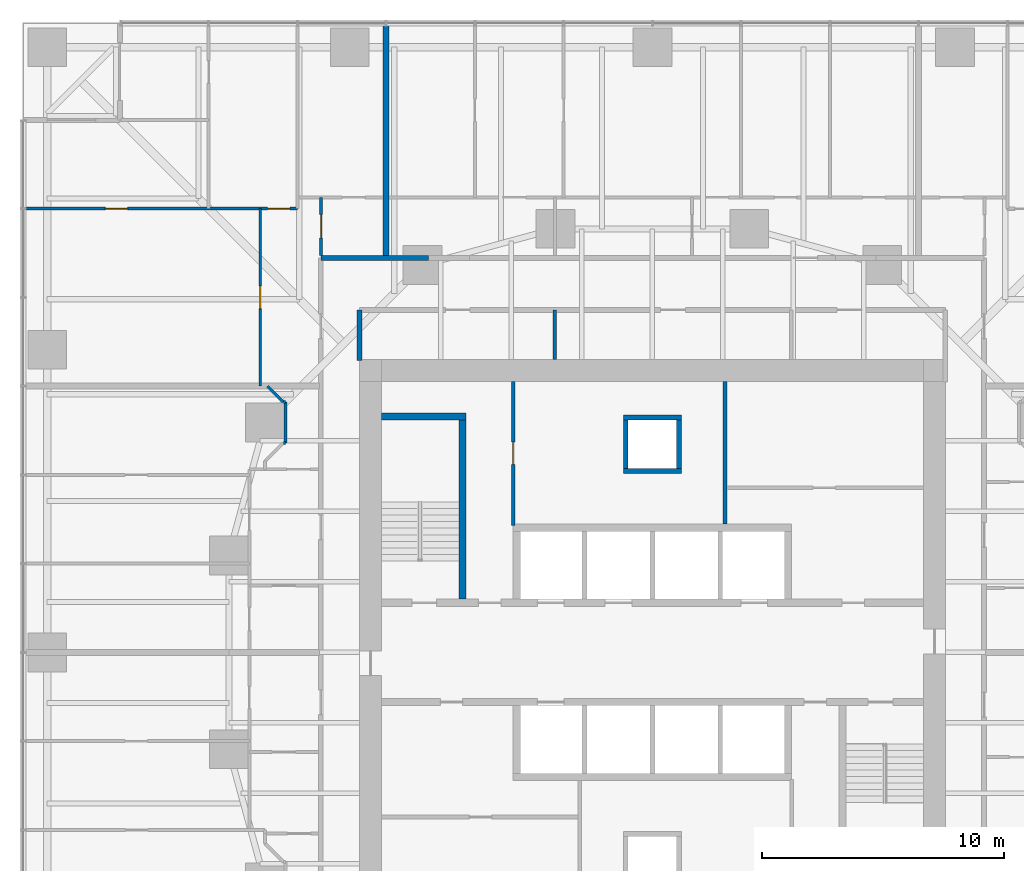
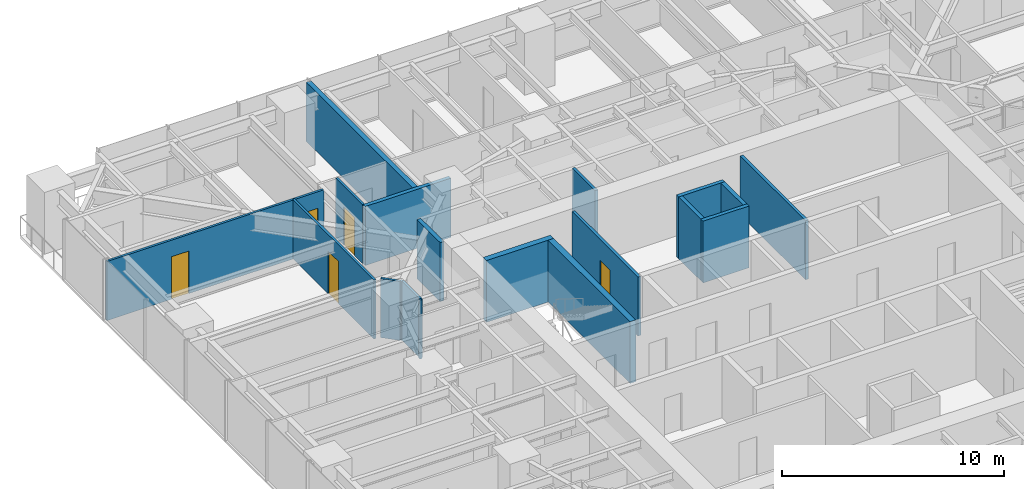
# One storey, part 14 of 18: 19 walls, 5 doors, 5 openings.
"""IFC4 building model written with IfcOpenShell, lengths in metres."""

from ifc_helpers import new_model, si_unit, direction, frame, frame_2d, origin, place, context, subcontext, project, spatial, rectangle, extrude, material, layer, layer_set, type_object, element, fill, save


model = new_model("IFC4")

# Units and contexts
model_context = context("Model", 3, precision=1e-05, world=origin(), true_north=direction((0.0, 1.0)))
body_context = subcontext(model_context, "Body", "Model", "MODEL_VIEW")
ifc_project = project(units=[si_unit("LENGTHUNIT", "METRE"), si_unit("AREAUNIT", "SQUARE_METRE"), si_unit("VOLUMEUNIT", "CUBIC_METRE"), si_unit("PLANEANGLEUNIT", "RADIAN"), si_unit("MASSUNIT", "GRAM", prefix="KILO")], contexts=[model_context])

# Site, building, storey
site_placement = place(None, origin())
site = spatial("IfcSite", under=ifc_project, at=site_placement, CompositionType="ELEMENT")
building_placement = place(site_placement, origin())
building = spatial("IfcBuilding", under=site, at=building_placement, Name="Torsade Residences", CompositionType="ELEMENT")
storey_placement = place(building_placement, frame((0.0, 0.0, 28.60009765625)))
storey = spatial("IfcBuildingStorey", under=building, at=storey_placement, Name="L07", CompositionType="ELEMENT", Elevation=28.60009765625)

# Walls
ifc_material_1 = material(Name="Concrete 80 MPa", Category="concrete")
ifc_layer_1 = layer(ifc_material_1, 0.300048828125)
ifc_layer_set_1 = layer_set([ifc_layer_1], Name="Concrete 80 MPa")
wall_type_1 = type_object("IfcWallType", Name="CORE INTERNAL WALL 300", PredefinedType="SHEAR", material=ifc_layer_set_1)
wall_1_placement = place(storey_placement, frame((32.14990234375, 32.199951171875, 0.0), z_axis=(0.0, 0.0, 1.0), x_axis=(0.0, 1.0, 0.0)))
element("IfcWall", 1, at=wall_1_placement, inside=storey, type_object=wall_type_1, Name="Core wall ST1E L07", PredefinedType="SHEAR", context=body_context, shape_type="SweptSolid", body=[
    extrude(rectangle(XDim=7.699951171875, YDim=0.300048828125, at=frame_2d((3.85009765625, 0.0))), origin(), (0.0, 0.0, 1.0), 3.39990234375),
])
wall_2_placement = place(storey_placement, frame((28.800048828125, 39.75, 0.0), z_axis=(0.0, 0.0, 1.0), x_axis=(1.0, 0.0, 0.0)))
element("IfcWall", 2, at=wall_2_placement, inside=storey, type_object=wall_type_1, Name="Core wall ST1N L07", PredefinedType="SHEAR", context=body_context, shape_type="SweptSolid", body=[
    extrude(rectangle(XDim=3.5, YDim=0.300048828125, at=frame_2d((1.75, 0.0))), origin(), (0.0, 0.0, 1.0), 3.39990234375),
])
ifc_material_2 = material(Name="Plasterboard on steel stud", Category="steel")
ifc_layer_2 = layer(ifc_material_2, 0.199951171875)
ifc_layer_set_2 = layer_set([ifc_layer_2], Name="Plasterboard on steel stud")
wall_type_2 = type_object("IfcWallType", Name="CORRIDOR WALL 200", PredefinedType="PARTITIONING", material=ifc_layer_set_2)
wall_3_placement = place(storey_placement, frame((30.75830078125, 46.300048828125, 0.0), z_axis=(0.0, 0.0, 1.0), x_axis=(-1.0, 0.0, 0.0)))
element("IfcWall", 3, at=wall_3_placement, inside=storey, type_object=wall_type_2, Name="Corridor wall L07", PredefinedType="PARTITIONING", context=body_context, shape_type="SweptSolid", body=[
    extrude(rectangle(XDim=4.458251953125, YDim=0.199951171875, at=frame_2d((2.22900390625, 0.0))), origin(), (0.0, 0.0, 1.0), 3.25),
])
wall_4_placement = place(storey_placement, frame((27.89990234375, 44.14990234375, 0.0), z_axis=(0.0, 0.0, 1.0), x_axis=(0.0, -1.0, 0.0)))
element("IfcWall", 4, at=wall_4_placement, inside=storey, type_object=wall_type_2, Name="Corridor wall L07", PredefinedType="PARTITIONING", context=body_context, shape_type="SweptSolid", body=[
    extrude(rectangle(XDim=2.099853515625, YDim=0.199951171875, at=frame_2d((1.0498046875, 0.0))), origin(), (0.0, 0.0, 1.0), 3.25),
])

# Wall, opening, door
ifc_material_3 = material(Name="Plasterboard on steel stud", Category="steel")
ifc_layer_3 = layer(ifc_material_3, 0.1201171875)
ifc_layer_set_3 = layer_set([ifc_layer_3], Name="Plasterboard on steel stud")
wall_type_3 = type_object("IfcWallType", Name="PARTITION 120", PredefinedType="PARTITIONING", material=ifc_layer_set_3)
wall_5_placement = place(storey_placement, frame((26.314697265625, 48.800048828125, 0.0), z_axis=(0.0, 0.0, 1.0), x_axis=(0.0, -1.0, 0.0)))
wall_5 = element("IfcWall", 5, at=wall_5_placement, inside=storey, type_object=wall_type_3, Name="Partition L07", PredefinedType="PARTITIONING", context=body_context, shape_type="SweptSolid", body=[
    extrude(rectangle(XDim=2.400146484375, YDim=0.1201171875, at=frame_2d((1.2001953125, 0.0))), origin(), (0.0, 0.0, 1.0), 3.25),
])
opening_1_placement = place(wall_5_placement, frame((0.719970703125, 0.0, 0.0)))
opening_1 = element("IfcOpeningElement", 6, at=opening_1_placement, cuts=wall_5, Name="Opening D05", PredefinedType="OPENING", context=body_context, shape_type="SweptSolid", body=[
    extrude(rectangle(XDim=0.9599609375, YDim=2.10009765625, at=frame_2d((0.47998046875, 1.050048828125))), frame((0.0, 0.070068359375, 0.0), z_axis=(0.0, -1.0, 0.0), x_axis=(1.0, 0.0, 0.0)), (0.0, 0.0, 1.0), 0.14013671875),
])
ifc_material_4 = material(Name="Hollow-core timber door in a steel cavity frame", Category="steel")
door_type_1 = type_object("IfcDoorType", Name="BATHROOM CAVITY SLIDING DOOR 960", OperationType="SLIDING_TO_LEFT", PredefinedType="DOOR", material=ifc_material_4)
door_1_placement = place(opening_1_placement, origin())
door_1 = element("IfcDoor", 7, at=door_1_placement, inside=storey, type_object=door_type_1, Name="Door Kitchen and dining to Bathroom", OperationType="SLIDING_TO_LEFT", OverallHeight=2.10009765625, OverallWidth=0.9599609375, PredefinedType="DOOR", context=body_context, shape_type="SweptSolid", body=[
    extrude(rectangle(XDim=0.9599609375, YDim=2.10009765625, at=frame_2d((0.47998046875, 1.050048828125))), frame((0.0, 0.02490234375, 0.0), z_axis=(0.0, -1.0, 0.0), x_axis=(1.0, 0.0, 0.0)), (0.0, 0.0, 1.0), 0.050048828125),
])
fill(opening_1, door_1)

wall_6_placement = place(storey_placement, frame((23.800048828125, 41.0, 0.0), z_axis=(0.0, 0.0, 1.0), x_axis=(0.0, 1.0, 0.0)))
wall_6 = element("IfcWall", 8, at=wall_6_placement, inside=storey, type_object=wall_type_3, Name="Partition L07", PredefinedType="PARTITIONING", context=body_context, shape_type="SweptSolid", body=[
    extrude(rectangle(XDim=7.333251953125, YDim=0.1201171875, at=frame_2d((3.66650390625, 0.0))), origin(), (0.0, 0.0, 1.0), 3.25),
])
opening_2_placement = place(wall_6_placement, frame((3.20654296875, 0.0, 0.0)))
opening_2 = element("IfcOpeningElement", 9, at=opening_2_placement, cuts=wall_6, Name="Opening D02", PredefinedType="OPENING", context=body_context, shape_type="SweptSolid", body=[
    extrude(rectangle(XDim=0.919921875, YDim=2.340087890625, at=frame_2d((0.4599609375, 1.169921875))), frame((0.0, 0.070068359375, 0.0), z_axis=(0.0, -1.0, 0.0), x_axis=(1.0, 0.0, 0.0)), (0.0, 0.0, 1.0), 0.14013671875),
])
ifc_material_5 = material(Name="Hollow-core timber door", Category="wood")
door_type_2 = type_object("IfcDoorType", Name="INTERNAL DOOR 920x2340", OperationType="NOTDEFINED", PredefinedType="DOOR", material=ifc_material_5)
door_2_placement = place(opening_2_placement, origin())
door_2 = element("IfcDoor", 10, at=door_2_placement, inside=storey, type_object=door_type_2, Name="Door Kitchen and dining to Living room", OperationType="SINGLE_SWING_LEFT", OverallHeight=2.340087890625, OverallWidth=0.919921875, PredefinedType="DOOR", context=body_context, shape_type="SweptSolid", body=[
    extrude(rectangle(XDim=0.919921875, YDim=2.340087890625, at=frame_2d((0.4599609375, 1.169921875))), frame((0.0, 0.02490234375, 0.0), z_axis=(0.0, -1.0, 0.0), x_axis=(1.0, 0.0, 0.0)), (0.0, 0.0, 1.0), 0.050048828125),
])
fill(opening_2, door_2)

# Wall, openings, doors
wall_7_placement = place(storey_placement, frame((14.0400390625, 48.333251953125, 0.0), z_axis=(0.0, 0.0, 1.0), x_axis=(1.0, 0.0, 0.0)))
wall_7 = element("IfcWall", 11, at=wall_7_placement, inside=storey, type_object=wall_type_3, Name="Partition L07", PredefinedType="PARTITIONING", context=body_context, shape_type="SweptSolid", body=[
    extrude(rectangle(XDim=11.293212890625, YDim=0.1201171875, at=frame_2d((5.646484375, 0.0))), origin(), (0.0, 0.0, 1.0), 3.25),
])
opening_3_placement = place(wall_7_placement, frame((10.066650390625, 0.0, 0.0)))
opening_3 = element("IfcOpeningElement", 12, at=opening_3_placement, cuts=wall_7, Name="Opening D02", PredefinedType="OPENING", context=body_context, shape_type="SweptSolid", body=[
    extrude(rectangle(XDim=0.919921875, YDim=2.340087890625, at=frame_2d((0.4599609375, 1.169921875))), frame((0.0, 0.070068359375, 0.0), z_axis=(0.0, -1.0, 0.0), x_axis=(1.0, 0.0, 0.0)), (0.0, 0.0, 1.0), 0.14013671875),
])
opening_4_placement = place(wall_7_placement, frame((3.3583984375, 0.0, 0.0)))
opening_4 = element("IfcOpeningElement", 13, at=opening_4_placement, cuts=wall_7, Name="Opening D02", PredefinedType="OPENING", context=body_context, shape_type="SweptSolid", body=[
    extrude(rectangle(XDim=0.919921875, YDim=2.340087890625, at=frame_2d((0.4599609375, 1.169921875))), frame((0.0, 0.070068359375, 0.0), z_axis=(0.0, -1.0, 0.0), x_axis=(1.0, 0.0, 0.0)), (0.0, 0.0, 1.0), 0.14013671875),
])
door_3_placement = place(opening_3_placement, origin())
door_3 = element("IfcDoor", 14, at=door_3_placement, inside=storey, type_object=door_type_2, Name="Door Kitchen and dining to Bedroom 2", OperationType="SINGLE_SWING_RIGHT", OverallHeight=2.340087890625, OverallWidth=0.919921875, PredefinedType="DOOR", context=body_context, shape_type="SweptSolid", body=[
    extrude(rectangle(XDim=0.919921875, YDim=2.340087890625, at=frame_2d((0.4599609375, 1.169921875))), frame((0.0, 0.02490234375, 0.0), z_axis=(0.0, -1.0, 0.0), x_axis=(1.0, 0.0, 0.0)), (0.0, 0.0, 1.0), 0.050048828125),
])
fill(opening_3, door_3)
door_4_placement = place(opening_4_placement, origin())
door_4 = element("IfcDoor", 15, at=door_4_placement, inside=storey, type_object=door_type_2, Name="Door Living room to Bedroom 1", OperationType="SINGLE_SWING_RIGHT", OverallHeight=2.340087890625, OverallWidth=0.919921875, PredefinedType="DOOR", context=body_context, shape_type="SweptSolid", body=[
    extrude(rectangle(XDim=0.919921875, YDim=2.340087890625, at=frame_2d((0.4599609375, 1.169921875))), frame((0.0, 0.02490234375, 0.0), z_axis=(0.0, -1.0, 0.0), x_axis=(1.0, 0.0, 0.0)), (0.0, 0.0, 1.0), 0.050048828125),
])
fill(opening_4, door_4)

# Walls
wall_8_placement = place(storey_placement, frame((24.85009765625, 38.64990234375, 0.0), z_axis=(0.0, 0.0, 1.0), x_axis=(0.0, 1.0, 0.0)))
element("IfcWall", 16, at=wall_8_placement, inside=storey, type_object=wall_type_3, Name="Partition L07", PredefinedType="PARTITIONING", context=body_context, shape_type="SweptSolid", body=[
    extrude(rectangle(XDim=1.7001953125, YDim=0.1201171875, at=frame_2d((0.85009765625, 0.0))), origin(), (0.0, 0.0, 1.0), 3.25),
])
wall_9_placement = place(storey_placement, frame((24.75, 40.35009765625, 0.0), z_axis=(0.0, 0.0, 1.0), x_axis=(-0.707106781187, 0.707106781187, 0.0)))
element("IfcWall", 17, at=wall_9_placement, inside=storey, type_object=wall_type_3, Name="Partition L07", PredefinedType="PARTITIONING", context=body_context, shape_type="SweptSolid", body=[
    extrude(rectangle(XDim=0.919189453125, YDim=0.1201171875, at=frame_2d((0.45947265625, 0.0))), origin(), (0.0, 0.0, 1.0), 3.25),
])
for number, where, z_axis, x_axis, name in (
    (18, (24.85009765625, 38.64990234375, 0.0), (0.0, 0.0, 1.0), (-1.0, 0.0, 0.0), "Partition L07"),
    (19, (24.85009765625, 40.35009765625, 0.0), (0.0, 0.0, 1.0), (-1.0, 0.0, 0.0), "Partition L07"),
):
    element("IfcWall", number, at=place(storey_placement, frame(where, z_axis=z_axis, x_axis=x_axis)), inside=storey, type_object=wall_type_3, Name=name, PredefinedType="PARTITIONING", context=body_context, shape_type="SweptSolid", body=[
        extrude(rectangle(XDim=0.10009765625, YDim=0.1201171875, at=frame_2d((0.050048828125, 0.0))), origin(), (0.0, 0.0, 1.0), 3.25),
    ])
ifc_material_6 = material(Name="Masonry-lined stud party wall", Category="masonry")
ifc_layer_4 = layer(ifc_material_6, 0.25)
ifc_layer_set_4 = layer_set([ifc_layer_4], Name="Masonry-lined stud party wall")
wall_type_4 = type_object("IfcWallType", Name="PARTY WALL 250", PredefinedType="PARTITIONING", material=ifc_layer_set_4)
wall_10_placement = place(storey_placement, frame((29.0, 56.0, 0.0), z_axis=(0.0, 0.0, 1.0), x_axis=(0.0, -1.0, 0.0)))
element("IfcWall", 20, at=wall_10_placement, inside=storey, type_object=wall_type_4, Name="Party wall L07", PredefinedType="PARTITIONING", context=body_context, shape_type="SweptSolid", body=[
    extrude(rectangle(XDim=9.639892578125, YDim=0.25, at=frame_2d((4.81982421875, 0.0))), origin(), (0.0, 0.0, 1.0), 3.25),
])
ifc_material_7 = material(Name="Reinforced blockwork", Category="masonry")
ifc_layer_5 = layer(ifc_material_7, 0.199951171875)
ifc_layer_set_5 = layer_set([ifc_layer_5], Name="Reinforced blockwork")
wall_type_5 = type_object("IfcWallType", Name="RISER SHAFT WALL 200", PredefinedType="SOLIDWALL", material=ifc_layer_set_5)
for number, where, z_axis, x_axis, name in (
    (21, (38.89990234375, 37.60009765625, 0.0), (0.0, 0.0, 1.0), (0.0, 1.0, 0.0), "Core wall RS1a L07"),
    (22, (41.10009765625, 37.60009765625, 0.0), (0.0, 0.0, 1.0), (0.0, 1.0, 0.0), "Core wall RS1b L07"),
):
    element("IfcWall", number, at=place(storey_placement, frame(where, z_axis=z_axis, x_axis=x_axis)), inside=storey, type_object=wall_type_5, Name=name, PredefinedType="SOLIDWALL", context=body_context, shape_type="SweptSolid", body=[
        extrude(rectangle(XDim=2.0, YDim=0.199951171875, at=frame_2d((1.0, 0.0))), origin(), (0.0, 0.0, 1.0), 3.39990234375),
    ])
for number, where, z_axis, x_axis, name in (
    (23, (38.800048828125, 37.5, 0.0), (0.0, 0.0, 1.0), (1.0, 0.0, 0.0), "Core wall RS1c L07"),
    (24, (38.800048828125, 39.699951171875, 0.0), (0.0, 0.0, 1.0), (1.0, 0.0, 0.0), "Core wall RS1d L07"),
):
    element("IfcWall", number, at=place(storey_placement, frame(where, z_axis=z_axis, x_axis=x_axis)), inside=storey, type_object=wall_type_5, Name=name, PredefinedType="SOLIDWALL", context=body_context, shape_type="SweptSolid", body=[
        extrude(rectangle(XDim=2.39990234375, YDim=0.199951171875, at=frame_2d((1.199951171875, 0.0))), origin(), (0.0, 0.0, 1.0), 3.39990234375),
    ])

# Wall, opening, door
ifc_material_8 = material(Name="Reinforced blockwork", Category="masonry")
ifc_layer_6 = layer(ifc_material_8, 0.14990234375)
ifc_layer_set_6 = layer_set([ifc_layer_6], Name="Reinforced blockwork")
wall_type_6 = type_object("IfcWallType", Name="SERVICE ROOM WALL 150", PredefinedType="SOLIDWALL", material=ifc_layer_set_6)
wall_11_placement = place(storey_placement, frame((34.25, 41.199951171875, 0.0), z_axis=(0.0, 0.0, 1.0), x_axis=(0.0, -1.0, 0.0)))
wall_11 = element("IfcWall", 25, at=wall_11_placement, inside=storey, type_object=wall_type_6, Name="Service room wall L07", PredefinedType="SOLIDWALL", context=body_context, shape_type="SweptSolid", body=[
    extrude(rectangle(XDim=5.949951171875, YDim=0.14990234375, at=frame_2d((2.97509765625, 0.0))), origin(), (0.0, 0.0, 1.0), 3.25),
])
opening_5_placement = place(wall_11_placement, frame((2.514892578125, 0.0, 0.0)))
opening_5 = element("IfcOpeningElement", 26, at=opening_5_placement, cuts=wall_11, Name="Opening D06", PredefinedType="OPENING", context=body_context, shape_type="SweptSolid", body=[
    extrude(rectangle(XDim=0.919921875, YDim=2.10009765625, at=frame_2d((0.4599609375, 1.050048828125))), frame((0.0, 0.0849609375, 0.0), z_axis=(0.0, -1.0, 0.0), x_axis=(1.0, 0.0, 0.0)), (0.0, 0.0, 1.0), 0.169921875),
])
ifc_material_9 = material(Name="Steel-framed fire door", Category="steel")
door_type_3 = type_object("IfcDoorType", Name="FIRE DOOR 920", OperationType="NOTDEFINED", PredefinedType="DOOR", material=ifc_material_9)
door_5_placement = place(opening_5_placement, origin())
door_5 = element("IfcDoor", 27, at=door_5_placement, inside=storey, type_object=door_type_3, Name="Door Main switchboard store to Electrical riser room", OperationType="SINGLE_SWING_RIGHT", OverallHeight=2.10009765625, OverallWidth=0.919921875, PredefinedType="DOOR", context=body_context, shape_type="SweptSolid", body=[
    extrude(rectangle(XDim=0.919921875, YDim=2.10009765625, at=frame_2d((0.4599609375, 1.050048828125))), frame((0.0, 0.02490234375, 0.0), z_axis=(0.0, -1.0, 0.0), x_axis=(1.0, 0.0, 0.0)), (0.0, 0.0, 1.0), 0.050048828125),
])
fill(opening_5, door_5)

# Walls
wall_12_placement = place(storey_placement, frame((43.0, 41.199951171875, 0.0), z_axis=(0.0, 0.0, 1.0), x_axis=(0.0, -1.0, 0.0)))
element("IfcWall", 28, at=wall_12_placement, inside=storey, type_object=wall_type_6, Name="Service room wall L07", PredefinedType="SOLIDWALL", context=body_context, shape_type="SweptSolid", body=[
    extrude(rectangle(XDim=5.89990234375, YDim=0.14990234375, at=frame_2d((2.949951171875, 0.0))), origin(), (0.0, 0.0, 1.0), 3.25),
])
wall_13_placement = place(storey_placement, frame((35.95849609375, 42.10009765625, 0.0), z_axis=(0.0, 0.0, 1.0), x_axis=(0.0, 1.0, 0.0)))
element("IfcWall", 29, at=wall_13_placement, inside=storey, type_object=wall_type_6, Name="Service room wall L07", PredefinedType="SOLIDWALL", context=body_context, shape_type="SweptSolid", body=[
    extrude(rectangle(XDim=2.0498046875, YDim=0.14990234375, at=frame_2d((1.02490234375, 0.0))), origin(), (0.0, 0.0, 1.0), 3.25),
])

save(model, "model.ifc")
